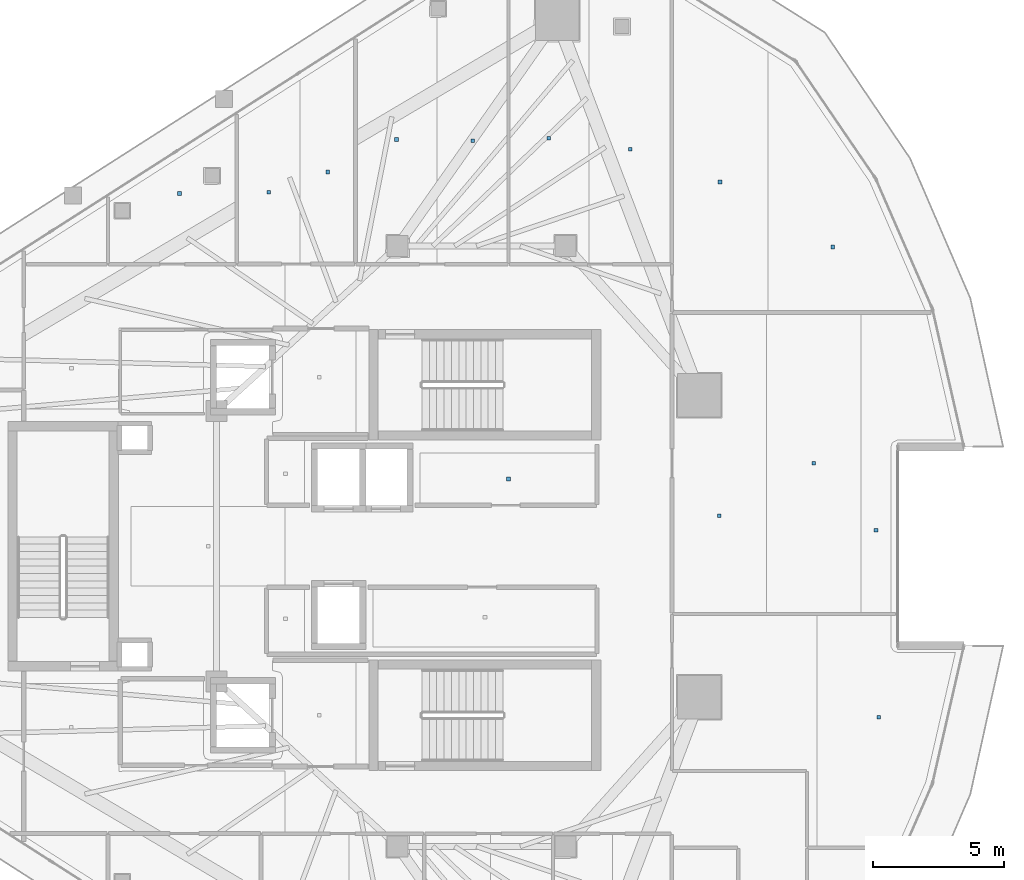
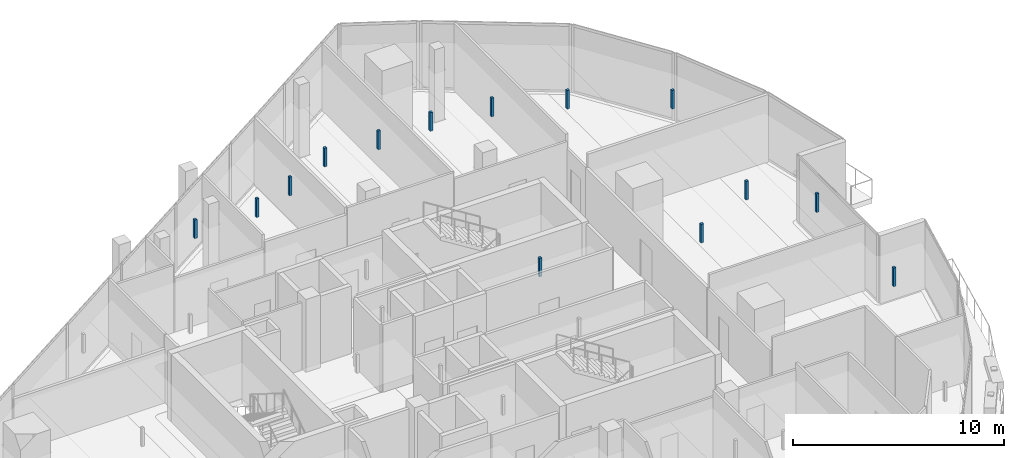
# One storey, part 29 of 36: 14 discrete accessories.
"""IFC4 building model written with IfcOpenShell, lengths in metres."""

import ifcopenshell
import ifcopenshell.guid

model = None  # the IFC model being written
_history = None  # IfcOwnerHistory: only IFC2X3 demands one
_inside = {}  # id of a spatial element -> (the spatial element, [elements in it])
_under = {}  # id of a project, library or spatial element -> (it, [spatial elements below it])
_declared = {}  # id of a project -> (the project, [libraries it declares])
_typed = {}  # id of a type object -> (the type object, [elements of that type])
_made_of = {}  # id of a material, layer set ... -> (it, [elements and type objects made of it])


def new_model(schema):
    """Start an empty IFC model of exactly this schema.

    Asked for "IFC4X3", IfcOpenShell would pick the latest addendum, in which some entities
    have other attributes; the version numbers below select the first issue.
    IFC2X3 requires an IfcOwnerHistory on every rooted entity: one is made here for all.
    """
    global model, _history
    if schema == "IFC4X3":
        model = ifcopenshell.file(schema_version=(4, 3, 0, 0))
    else:
        model = ifcopenshell.file(schema=schema)
    _inside.clear()
    _under.clear()
    _declared.clear()
    _typed.clear()
    _made_of.clear()
    _history = None
    if model.schema == "IFC2X3":
        org = make("IfcOrganization", Name="unknown")
        user = make(
            "IfcPersonAndOrganization",
            ThePerson=make("IfcPerson", FamilyName="unknown"),
            TheOrganization=org,
        )
        app = make(
            "IfcApplication",
            ApplicationDeveloper=org,
            Version="unknown",
            ApplicationFullName="unknown",
            ApplicationIdentifier="unknown",
        )
        _history = make(
            "IfcOwnerHistory",
            OwningUser=user,
            OwningApplication=app,
            ChangeAction="ADDED",
            CreationDate=0,
        )
    return model


def make(cls, **values):
    """One entity of the class cls with the attributes given. An attribute that is None is left unset."""
    return model.create_entity(
        cls, **{name: value for name, value in values.items() if value is not None}
    )


def rooted(cls, **values):
    """An entity with a GlobalId (a new one), such as an element, a storey or a relation."""
    return make(cls, GlobalId=ifcopenshell.guid.new(), OwnerHistory=_history, **values)


def si_unit(unit_type, name, prefix=None):
    """IfcSIUnit, for example si_unit("LENGTHUNIT", "METRE", prefix="MILLI")."""
    return make("IfcSIUnit", UnitType=unit_type, Prefix=prefix, Name=name)


def assignment(units):
    """IfcUnitAssignment: the units of a project."""
    return None if units is None else make("IfcUnitAssignment", Units=units)


def point(xyz):
    """IfcCartesianPoint."""
    return None if xyz is None else make("IfcCartesianPoint", Coordinates=xyz)


def direction(xyz):
    """IfcDirection."""
    return None if xyz is None else make("IfcDirection", DirectionRatios=xyz)


def frame(location, z_axis=None, x_axis=None):
    """IfcAxis2Placement3D, a coordinate frame: its origin and axes. An axis left out is left unset."""
    return make(
        "IfcAxis2Placement3D",
        Location=point(location),
        Axis=direction(z_axis),
        RefDirection=direction(x_axis),
    )


def frame_2d(location, x_axis=None):
    """IfcAxis2Placement2D, a coordinate frame in the plane: its origin and x axis."""
    return make(
        "IfcAxis2Placement2D", Location=point(location), RefDirection=direction(x_axis)
    )


def origin():
    """The frame at (0, 0, 0) with its axes left unset."""
    return frame((0.0, 0.0, 0.0))


def origin_2d():
    """The frame at (0, 0) in the plane with its x axis left unset."""
    return frame_2d((0.0, 0.0))


def place(relative_to, where):
    """IfcLocalPlacement: puts the frame where relative to a parent placement (None: the world)."""
    return make(
        "IfcLocalPlacement", PlacementRelTo=relative_to, RelativePlacement=where
    )


def context(
    kind, dimensions, precision=None, world=None, true_north=None, identifier=None
):
    """IfcGeometricRepresentationContext, for example the 3D "Model" context."""
    return make(
        "IfcGeometricRepresentationContext",
        ContextIdentifier=identifier,
        ContextType=kind,
        CoordinateSpaceDimension=dimensions,
        Precision=precision,
        WorldCoordinateSystem=world,
        TrueNorth=true_north,
    )


def subcontext(parent, identifier, kind, view, scale=None):
    """IfcGeometricRepresentationSubContext, for example "Body" below "Model"."""
    return make(
        "IfcGeometricRepresentationSubContext",
        ContextIdentifier=identifier,
        ContextType=kind,
        ParentContext=parent,
        TargetScale=scale,
        TargetView=view,
    )


def project(units=None, contexts=None):
    """IfcProject with its units and contexts."""
    return rooted(
        "IfcProject",
        Name="project",
        RepresentationContexts=contexts,
        UnitsInContext=assignment(units),
    )


def spatial(cls, under=None, at=None, **own):
    """A site, building, storey or space (cls), placed at a placement, below another one or the project."""
    s = rooted(cls, ObjectPlacement=at, **own)
    if under is not None:
        _under.setdefault(under.id(), (under, []))[1].append(s)
    return s


def profile(cls, at=None, kind="AREA", **sizes):
    """A parametric profile (cls). Its sizes go by their IFC names, for example OverallWidth=200.0."""
    return make(cls, ProfileType=kind, Position=at, **sizes)


def rectangle(**sizes):
    """IfcRectangleProfileDef."""
    return profile("IfcRectangleProfileDef", **sizes)


def extrude(swept, where, along, depth):
    """IfcExtrudedAreaSolid: the profile swept, set in the frame where, extruded along a direction by depth."""
    return make(
        "IfcExtrudedAreaSolid",
        SweptArea=swept,
        Position=where,
        ExtrudedDirection=direction(along),
        Depth=depth,
    )


def shape(context_of_items, identifier, shape_type, items):
    """IfcShapeRepresentation: the items that make up one representation, for example the "Body"."""
    return make(
        "IfcShapeRepresentation",
        ContextOfItems=context_of_items,
        RepresentationIdentifier=identifier,
        RepresentationType=shape_type,
        Items=items,
    )


def material(Name=None, Category=None):
    """IfcMaterial."""
    return make("IfcMaterial", Name=Name, Category=Category)


def made_of(thing, what):
    """Note that an element or type object is made of a material, layer set ...; save() writes the relation."""
    if what is not None:
        _made_of.setdefault(what.id(), (what, []))[1].append(thing)
    return thing


def type_object(cls, material=None, **own):
    """A type object (cls), such as IfcWallType, which elements share."""
    return made_of(rooted(cls, **own), material)


def element(
    cls,
    number,
    at=None,
    inside=None,
    cuts=None,
    type_object=None,
    material=None,
    context=None,
    identifier="Body",
    shape_type=None,
    held_by="IfcProductDefinitionShape",
    body=None,
    shapes=None,
    **own,
):
    """One element of the class cls, such as IfcWall. Its Tag is "e" and its number.

    at: its placement. inside: the storey or other place that contains it. cuts: it is an
    opening in that element (IfcRelVoidsElement). A single representation is given by context,
    identifier, shape_type and body (its items); several are given by shapes. held_by: the class
    of the entity that holds the representations. save() writes the other relations.
    """
    e = rooted(cls, Tag="e%d" % number, ObjectPlacement=at, **own)
    if body is not None:
        shapes = [shape(context, identifier, shape_type, body)]
    if shapes is not None:
        e.Representation = make(held_by, Representations=shapes)
    if inside is not None:
        _inside.setdefault(inside.id(), (inside, []))[1].append(e)
    if cuts is not None:
        rooted(
            "IfcRelVoidsElement", RelatingBuildingElement=cuts, RelatedOpeningElement=e
        )
    if type_object is not None:
        _typed.setdefault(type_object.id(), (type_object, []))[1].append(e)
    return made_of(e, material)


def aggregate(whole, parts):
    """IfcRelAggregates: a whole, such as a stair, and the parts it consists of."""
    return rooted("IfcRelAggregates", RelatingObject=whole, RelatedObjects=parts)


def save(model, path):
    """Write the relations noted so far, then the file.

    IfcRelAggregates (storeys below a building ...), IfcRelContainedInSpatialStructure (elements
    in a storey), IfcRelDefinesByType, IfcRelAssociatesMaterial and IfcRelDeclares: one each for
    every whole, place, type object, material and project.
    """
    for whole, parts in _under.values():
        aggregate(whole, parts)
    for where, things in _inside.values():
        rooted(
            "IfcRelContainedInSpatialStructure",
            RelatedElements=things,
            RelatingStructure=where,
        )
    for kind, things in _typed.values():
        rooted("IfcRelDefinesByType", RelatedObjects=things, RelatingType=kind)
    for what, things in _made_of.values():
        rooted("IfcRelAssociatesMaterial", RelatedObjects=things, RelatingMaterial=what)
    for by, libraries in _declared.values():
        rooted("IfcRelDeclares", RelatingContext=by, RelatedDefinitions=libraries)
    model.write(path)


model = new_model("IFC4")

# Units and contexts
model_context = context("Model", 3, precision=1e-05, world=origin(), true_north=direction((0.0, 1.0)))
body_context = subcontext(model_context, "Body", "Model", "MODEL_VIEW")
ifc_project = project(units=[si_unit("LENGTHUNIT", "METRE"), si_unit("AREAUNIT", "SQUARE_METRE"), si_unit("VOLUMEUNIT", "CUBIC_METRE"), si_unit("PLANEANGLEUNIT", "RADIAN"), si_unit("MASSUNIT", "GRAM", prefix="KILO")], contexts=[model_context])

# Site, building, storey
site_placement = place(None, origin())
site = spatial("IfcSite", under=ifc_project, at=site_placement, CompositionType="ELEMENT")
building_placement = place(site_placement, origin())
building = spatial("IfcBuilding", under=site, at=building_placement, Name="Qorvath Tower", CompositionType="ELEMENT")
storey_placement = place(building_placement, frame((0.0, 0.0, 272.39990234375)))
storey = spatial("IfcBuildingStorey", under=building, at=storey_placement, Name="L63", CompositionType="ELEMENT", Elevation=272.39990234375)

# Discrete accessories
ifc_material = material(Name="Galvanised steel bracket", Category="steel")
discrete_accessory_type = type_object("IfcDiscreteAccessoryType", Name="DA-BRACKET", PredefinedType="BRACKET", material=ifc_material)
for number, where, z_axis, x_axis, name in (
    (1, (-19.37255859375, 2.5625, 2.860107421875), (0.0, 0.0, 1.0), (1.0, 0.0, 0.0), "Acoustic Ceiling Suspension Hanger T1-L63-003"),
    (2, (-31.91796875, 13.44970703125, 2.860107421875), (0.0, 0.0, 1.0), (1.0, 0.0, 0.0), "Acoustic Ceiling Suspension Hanger T1-L63-012"),
    (3, (-28.520751953125, 13.501708984375, 2.860107421875), (0.0, 0.0, 1.0), (1.0, 0.0, 0.0), "Acoustic Ceiling Suspension Hanger T1-L63-013"),
    (4, (-26.2666015625, 14.27197265625, 2.860107421875), (0.0, 0.0, 1.0), (1.0, 0.0, 0.0), "Acoustic Ceiling Suspension Hanger T1-L63-014"),
    (5, (-23.646484375, 15.5126953125, 2.860107421875), (0.0, 0.0, 1.0), (1.0, 0.0, 0.0), "Acoustic Ceiling Suspension Hanger T1-L63-015"),
    (6, (-20.736083984375, 15.46484375, 2.860107421875), (0.0, 0.0, 1.0), (1.0, 0.0, 0.0), "Acoustic Ceiling Suspension Hanger T1-L63-016"),
    (7, (-17.833251953125, 15.554443359375, 2.860107421875), (0.0, 0.0, 1.0), (1.0, 0.0, 0.0), "Acoustic Ceiling Suspension Hanger T1-L63-017"),
    (8, (-14.730224609375, 15.1318359375, 2.860107421875), (0.0, 0.0, 1.0), (1.0, 0.0, 0.0), "Acoustic Ceiling Suspension Hanger T1-L63-018"),
    (9, (-5.256591796875, -6.5166015625, 2.860107421875), (0.0, 0.0, 1.0), (1.0, 0.0, 0.0), "Acoustic Ceiling Suspension Hanger T1-L63-029"),
    (10, (-11.3359375, 1.15966796875, 2.860107421875), (0.0, 0.0, 1.0), (1.0, 0.0, 0.0), "Acoustic Ceiling Suspension Hanger T1-L63-030"),
    (11, (-7.734130859375, 3.166259765625, 2.860107421875), (0.0, 0.0, 1.0), (1.0, 0.0, 0.0), "Acoustic Ceiling Suspension Hanger T1-L63-031"),
    (12, (-5.363525390625, 0.60986328125, 2.860107421875), (0.0, 0.0, 1.0), (1.0, 0.0, 0.0), "Acoustic Ceiling Suspension Hanger T1-L63-032"),
    (13, (-11.31103515625, 13.891357421875, 2.860107421875), (0.0, 0.0, 1.0), (1.0, 0.0, 0.0), "Acoustic Ceiling Suspension Hanger T1-L63-033"),
    (14, (-7.005126953125, 11.413330078125, 2.860107421875), (0.0, 0.0, 1.0), (1.0, 0.0, 0.0), "Acoustic Ceiling Suspension Hanger T1-L63-034"),
):
    element("IfcDiscreteAccessory", number, at=place(storey_placement, frame(where, z_axis=z_axis, x_axis=x_axis)), inside=storey, type_object=discrete_accessory_type, Name=name, PredefinedType="NOTDEFINED", context=body_context, shape_type="SweptSolid", body=[
        extrude(rectangle(XDim=0.139892578125, YDim=0.139892578125, at=origin_2d()), origin(), (0.0, 0.0, 1.0), 1.080078125),
    ])

save(model, "model.ifc")
